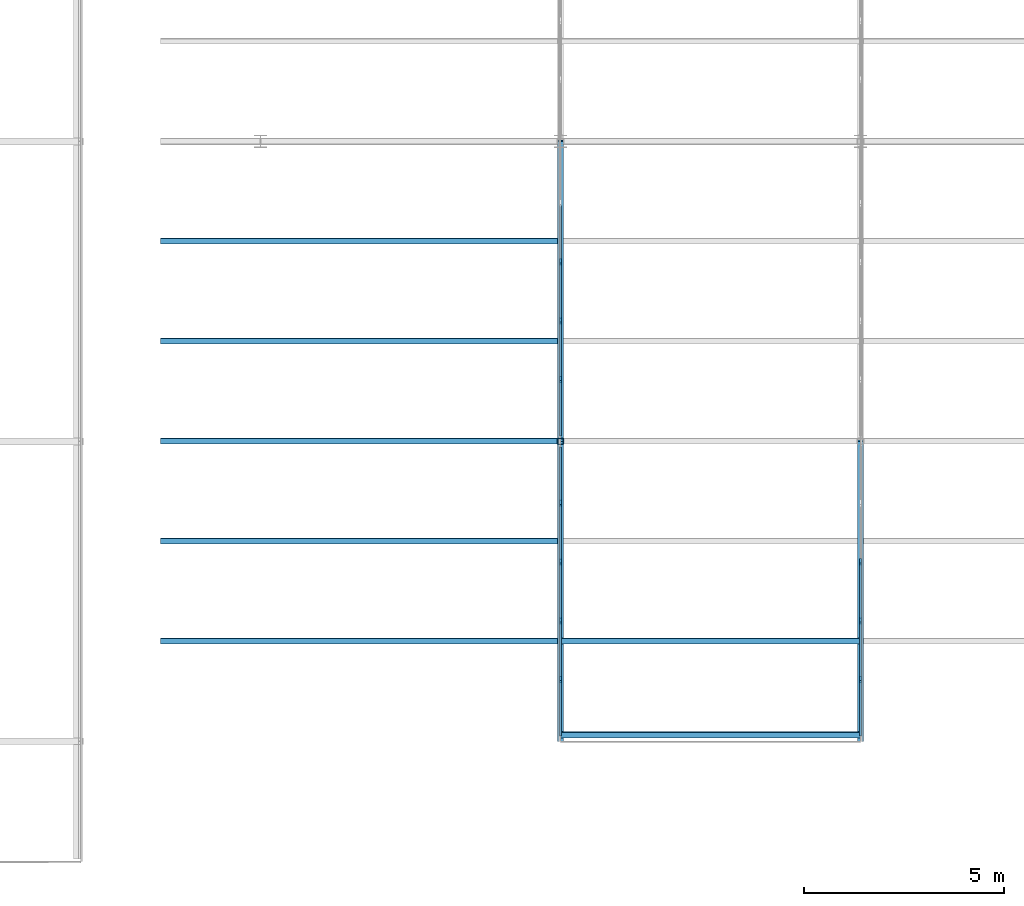
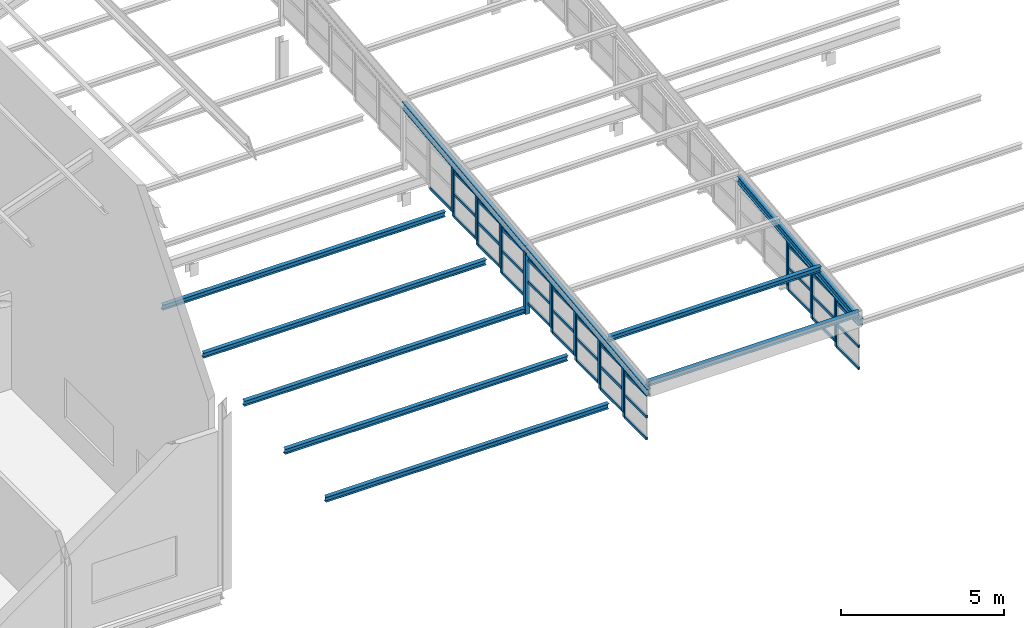
# One storey, part 51 of 483: 62 members, 3 beams, 13 elements without a shape of their own.
"""IFC4 building model written with IfcOpenShell, lengths in metres."""

from ifc_helpers import new_model, si_unit, direction, frame, origin, origin_2d, place, context, subcontext, project, spatial, rectangle, hollow_rectangle, i_section, extrude, material, material_profile, profile_set, type_object, element, aggregate, save


model = new_model("IFC4")

# Units and contexts
model_context = context("Model", 3, precision=1e-05, world=origin(), true_north=direction((0.0, 1.0)))
body_context = subcontext(model_context, "Body", "Model", "MODEL_VIEW")
ifc_project = project(units=[si_unit("LENGTHUNIT", "METRE"), si_unit("AREAUNIT", "SQUARE_METRE"), si_unit("VOLUMEUNIT", "CUBIC_METRE"), si_unit("PLANEANGLEUNIT", "RADIAN"), si_unit("MASSUNIT", "GRAM", prefix="KILO")], contexts=[model_context])

# Site, building, storey
site_placement = place(None, origin())
site = spatial("IfcSite", under=ifc_project, at=site_placement, CompositionType="ELEMENT")
building_placement = place(site_placement, origin())
building = spatial("IfcBuilding", under=site, at=building_placement, Name="Parallax Yard Mobility Hub", CompositionType="ELEMENT")
storey_placement = place(building_placement, frame((0.0, 0.0, 13.199951171875)))
storey = spatial("IfcBuildingStorey", under=building, at=storey_placement, Name="L04", CompositionType="ELEMENT", Elevation=13.199951171875)

# Beams
ifc_material_1 = material(Name="Steel ASTM A992", Category="steel")
ifc_material_profile_1 = material_profile(ifc_material_1, i_section(OverallWidth=0.14794921875, OverallDepth=0.26611328125, WebThickness=0.007568359375, FlangeThickness=0.012939453125, at=origin_2d()), Name="W250x45")
ifc_profile_set_1 = profile_set([ifc_material_profile_1], Name="Steel ASTM A992")
beam_type = type_object("IfcBeamType", Name="Monitor girder W250x45", PredefinedType="BEAM", material=ifc_profile_set_1)
for number, where, z_axis, x_axis, name in (
    (1, (157.5, 7.5146484375, 2.016357421875), (0.0, 0.993881367159, 0.110452831624), (-1.0, 0.0, 0.0), "Monitor girder at x 157.5 bay 1"),
    (2, (157.5, 15.0146484375, 2.849853515625), (0.0, 0.993884918264, 0.110420873243), (-1.0, 0.0, 0.0), "Monitor girder at x 157.5 bay 2"),
    (3, (165.0, 7.5146484375, 2.016357421875), (0.0, 0.993881367159, 0.110452831624), (-1.0, 0.0, 0.0), "Monitor girder at x 165 bay 1"),
):
    element("IfcBeam", number, at=place(storey_placement, frame(where, z_axis=z_axis, x_axis=x_axis)), inside=storey, type_object=beam_type, Name=name, PredefinedType="BEAM", context=body_context, shape_type="SweptSolid", body=[
        extrude(i_section(OverallWidth=0.14794921875, OverallDepth=0.26611328125, WebThickness=0.007568359375, FlangeThickness=0.012939453125, at=origin_2d()), origin(), (0.0, 0.0, 1.0), 7.546142578125),
    ])

# Member
ifc_material_2 = material(Name="Steel ASTM A500 Gr C", Category="steel")
ifc_material_profile_2 = material_profile(ifc_material_2, hollow_rectangle(XDim=0.15234375, YDim=0.15234375, WallThickness=0.009521484375, at=origin_2d()), Name="HSS152x152x9.5")
ifc_profile_set_2 = profile_set([ifc_material_profile_2], Name="Steel ASTM A500 Gr C")
member_type_1 = type_object("IfcMemberType", Name="Monitor post HSS152x152x9.5", PredefinedType="POST", material=ifc_profile_set_2)
member_1_placement = place(storey_placement, frame((157.5, 15.0, 0.45068359375), z_axis=(0.0, 0.0, 1.0), x_axis=(1.0, 0.0, 0.0)))
element("IfcMember", 4, at=member_1_placement, inside=storey, type_object=member_type_1, Name="Monitor post at x 157.5 y 15", PredefinedType="POST", context=body_context, shape_type="SweptSolid", body=[
    extrude(hollow_rectangle(XDim=0.15234375, YDim=0.15234375, WallThickness=0.009521484375, at=origin_2d()), origin(), (0.0, 0.0, 1.0), 2.295166015625),
])

# Curtain wall, member
ifc_material_3 = material(Name="Thermally broken aluminium curtain wall system", Category="aluminium")
curtain_wall_type = type_object("IfcCurtainWallType", Name="Clerestory glazing run 60 x 120 frame", PredefinedType="NOTDEFINED", material=ifc_material_3)
curtain_wall_1_placement = place(storey_placement, origin())
curtain_wall_1 = element("IfcCurtainWall", 5, at=curtain_wall_1_placement, inside=storey, type_object=curtain_wall_type, Name="Clerestory glazing run Bicycle and shared-mobility hall roof step 1 bay 1 level L02", PredefinedType="NOTDEFINED")
ifc_material_4 = material(Name="Extruded aluminium", Category="aluminium")
ifc_material_profile_3 = material_profile(ifc_material_4, rectangle(XDim=0.06005859375, YDim=0.1201171875, at=origin_2d()), Name="Mullion 60 x 120")
ifc_profile_set_3 = profile_set([ifc_material_profile_3], Name="Extruded aluminium")
member_type_2 = type_object("IfcMemberType", Name="Mullion 60 x 120", PredefinedType="MULLION", material=ifc_profile_set_3)
member_2_placement = place(storey_placement, frame((157.5, 9.015625, 0.188232421875), z_axis=(0.0, 0.0, 1.0), x_axis=(-1.0, 0.0, 0.0)))
member_2 = element("IfcMember", 6, at=member_2_placement, type_object=member_type_2, Name="CW4 mullion 2", PredefinedType="MULLION", context=body_context, shape_type="SweptSolid", body=[
    extrude(rectangle(XDim=0.06005859375, YDim=0.1201171875, at=origin_2d()), origin(), (0.0, 0.0, 1.0), 1.6943359375),
])

# Curtain wall, members
curtain_wall_2_placement = place(storey_placement, origin())
curtain_wall_2 = element("IfcCurtainWall", 7, at=curtain_wall_2_placement, inside=storey, type_object=curtain_wall_type, Name="Clerestory glazing run Bicycle and shared-mobility hall roof step 1 bay 1 level L02", PredefinedType="NOTDEFINED")
member_3_placement = place(storey_placement, frame((157.5, 9.07568359375, 0.3515625), z_axis=(0.0, 0.0, 1.0), x_axis=(-1.0, 0.0, 0.0)))
member_3 = element("IfcMember", 8, at=member_3_placement, type_object=member_type_2, Name="CW4 mullion 1", PredefinedType="MULLION", context=body_context, shape_type="SweptSolid", body=[
    extrude(rectangle(XDim=0.06005859375, YDim=0.1201171875, at=origin_2d()), origin(), (0.0, 0.0, 1.0), 1.69775390625),
])
member_4_placement = place(storey_placement, frame((157.5, 10.485107421875, 0.3515625), z_axis=(0.0, 0.0, 1.0), x_axis=(-1.0, 0.0, 0.0)))
member_4 = element("IfcMember", 9, at=member_4_placement, type_object=member_type_2, Name="CW4 mullion 2", PredefinedType="MULLION", context=body_context, shape_type="SweptSolid", body=[
    extrude(rectangle(XDim=0.06005859375, YDim=0.1201171875, at=origin_2d()), origin(), (0.0, 0.0, 1.0), 1.69775390625),
])

curtain_wall_3_placement = place(storey_placement, origin())
curtain_wall_3 = element("IfcCurtainWall", 10, at=curtain_wall_3_placement, inside=storey, type_object=curtain_wall_type, Name="Clerestory glazing run Bicycle and shared-mobility hall roof step 1 bay 1 level L02", PredefinedType="NOTDEFINED")
member_5_placement = place(storey_placement, frame((157.5, 10.545166015625, 0.514892578125), z_axis=(0.0, 0.0, 1.0), x_axis=(-1.0, 0.0, 0.0)))
member_5 = element("IfcMember", 11, at=member_5_placement, type_object=member_type_2, Name="CW4 mullion 1", PredefinedType="MULLION", context=body_context, shape_type="SweptSolid", body=[
    extrude(rectangle(XDim=0.06005859375, YDim=0.1201171875, at=origin_2d()), origin(), (0.0, 0.0, 1.0), 1.700927734375),
])
member_6_placement = place(storey_placement, frame((157.5, 11.954833984375, 0.514892578125), z_axis=(0.0, 0.0, 1.0), x_axis=(-1.0, 0.0, 0.0)))
member_6 = element("IfcMember", 12, at=member_6_placement, type_object=member_type_2, Name="CW4 mullion 2", PredefinedType="MULLION", context=body_context, shape_type="SweptSolid", body=[
    extrude(rectangle(XDim=0.06005859375, YDim=0.1201171875, at=origin_2d()), origin(), (0.0, 0.0, 1.0), 1.700927734375),
])

curtain_wall_4_placement = place(storey_placement, origin())
curtain_wall_4 = element("IfcCurtainWall", 13, at=curtain_wall_4_placement, inside=storey, type_object=curtain_wall_type, Name="Clerestory glazing run Bicycle and shared-mobility hall roof step 1 bay 1 level L02", PredefinedType="NOTDEFINED")
member_7_placement = place(storey_placement, frame((157.5, 12.014892578125, 0.67822265625), z_axis=(0.0, 0.0, 1.0), x_axis=(-1.0, 0.0, 0.0)))
member_7 = element("IfcMember", 14, at=member_7_placement, type_object=member_type_2, Name="CW4 mullion 1", PredefinedType="MULLION", context=body_context, shape_type="SweptSolid", body=[
    extrude(rectangle(XDim=0.06005859375, YDim=0.1201171875, at=origin_2d()), origin(), (0.0, 0.0, 1.0), 1.693115234375),
])
member_8_placement = place(storey_placement, frame((157.5, 13.42431640625, 0.67822265625), z_axis=(0.0, 0.0, 1.0), x_axis=(-1.0, 0.0, 0.0)))
member_8 = element("IfcMember", 15, at=member_8_placement, type_object=member_type_2, Name="CW4 mullion 2", PredefinedType="MULLION", context=body_context, shape_type="SweptSolid", body=[
    extrude(rectangle(XDim=0.06005859375, YDim=0.1201171875, at=origin_2d()), origin(), (0.0, 0.0, 1.0), 1.693115234375),
])

# Curtain wall, member
curtain_wall_5_placement = place(storey_placement, origin())
curtain_wall_5 = element("IfcCurtainWall", 16, at=curtain_wall_5_placement, inside=storey, type_object=curtain_wall_type, Name="Clerestory glazing run Bicycle and shared-mobility hall roof step 1 bay 1 level L02", PredefinedType="NOTDEFINED")
member_9_placement = place(storey_placement, frame((157.5, 13.484375, 0.841552734375), z_axis=(0.0, 0.0, 1.0), x_axis=(-1.0, 0.0, 0.0)))
member_9 = element("IfcMember", 17, at=member_9_placement, type_object=member_type_2, Name="CW4 mullion 1", PredefinedType="MULLION", context=body_context, shape_type="SweptSolid", body=[
    extrude(rectangle(XDim=0.06005859375, YDim=0.1201171875, at=origin_2d()), origin(), (0.0, 0.0, 1.0), 1.696533203125),
])

curtain_wall_6_placement = place(storey_placement, origin())
curtain_wall_6 = element("IfcCurtainWall", 18, at=curtain_wall_6_placement, inside=storey, type_object=curtain_wall_type, Name="Clerestory glazing run Bicycle and shared-mobility hall roof step 1 bay 2 level L02", PredefinedType="NOTDEFINED")
member_10_placement = place(storey_placement, frame((157.5, 16.515625, 1.021728515625), z_axis=(0.0, 0.0, 1.0), x_axis=(-1.0, 0.0, 0.0)))
member_10 = element("IfcMember", 19, at=member_10_placement, type_object=member_type_2, Name="CW4 mullion 2", PredefinedType="MULLION", context=body_context, shape_type="SweptSolid", body=[
    extrude(rectangle(XDim=0.06005859375, YDim=0.1201171875, at=origin_2d()), origin(), (0.0, 0.0, 1.0), 1.6943359375),
])

# Curtain wall, members
curtain_wall_7_placement = place(storey_placement, origin())
curtain_wall_7 = element("IfcCurtainWall", 20, at=curtain_wall_7_placement, inside=storey, type_object=curtain_wall_type, Name="Clerestory glazing run Bicycle and shared-mobility hall roof step 1 bay 2 level L02", PredefinedType="NOTDEFINED")
member_11_placement = place(storey_placement, frame((157.5, 16.57568359375, 1.18505859375), z_axis=(0.0, 0.0, 1.0), x_axis=(-1.0, 0.0, 0.0)))
member_11 = element("IfcMember", 21, at=member_11_placement, type_object=member_type_2, Name="CW4 mullion 1", PredefinedType="MULLION", context=body_context, shape_type="SweptSolid", body=[
    extrude(rectangle(XDim=0.06005859375, YDim=0.1201171875, at=origin_2d()), origin(), (0.0, 0.0, 1.0), 1.697509765625),
])
member_12_placement = place(storey_placement, frame((157.5, 17.985107421875, 1.18505859375), z_axis=(0.0, 0.0, 1.0), x_axis=(-1.0, 0.0, 0.0)))
member_12 = element("IfcMember", 22, at=member_12_placement, type_object=member_type_2, Name="CW4 mullion 2", PredefinedType="MULLION", context=body_context, shape_type="SweptSolid", body=[
    extrude(rectangle(XDim=0.06005859375, YDim=0.1201171875, at=origin_2d()), origin(), (0.0, 0.0, 1.0), 1.697509765625),
])

curtain_wall_8_placement = place(storey_placement, origin())
curtain_wall_8 = element("IfcCurtainWall", 23, at=curtain_wall_8_placement, inside=storey, type_object=curtain_wall_type, Name="Clerestory glazing run Bicycle and shared-mobility hall roof step 1 bay 2 level L02", PredefinedType="NOTDEFINED")
member_13_placement = place(storey_placement, frame((157.5, 18.045166015625, 1.34814453125), z_axis=(0.0, 0.0, 1.0), x_axis=(-1.0, 0.0, 0.0)))
member_13 = element("IfcMember", 24, at=member_13_placement, type_object=member_type_2, Name="CW4 mullion 1", PredefinedType="MULLION", context=body_context, shape_type="SweptSolid", body=[
    extrude(rectangle(XDim=0.06005859375, YDim=0.1201171875, at=origin_2d()), origin(), (0.0, 0.0, 1.0), 1.701171875),
])
member_14_placement = place(storey_placement, frame((157.5, 19.454833984375, 1.34814453125), z_axis=(0.0, 0.0, 1.0), x_axis=(-1.0, 0.0, 0.0)))
member_14 = element("IfcMember", 25, at=member_14_placement, type_object=member_type_2, Name="CW4 mullion 2", PredefinedType="MULLION", context=body_context, shape_type="SweptSolid", body=[
    extrude(rectangle(XDim=0.06005859375, YDim=0.1201171875, at=origin_2d()), origin(), (0.0, 0.0, 1.0), 1.701171875),
])

# Curtain wall, member
curtain_wall_9_placement = place(storey_placement, origin())
curtain_wall_9 = element("IfcCurtainWall", 26, at=curtain_wall_9_placement, inside=storey, type_object=curtain_wall_type, Name="Clerestory glazing run Bicycle and shared-mobility hall roof step 1 bay 2 level L02", PredefinedType="NOTDEFINED")
member_15_placement = place(storey_placement, frame((157.5, 19.514892578125, 1.511474609375), z_axis=(0.0, 0.0, 1.0), x_axis=(-1.0, 0.0, 0.0)))
member_15 = element("IfcMember", 27, at=member_15_placement, type_object=member_type_2, Name="CW4 mullion 1", PredefinedType="MULLION", context=body_context, shape_type="SweptSolid", body=[
    extrude(rectangle(XDim=0.06005859375, YDim=0.1201171875, at=origin_2d()), origin(), (0.0, 0.0, 1.0), 1.693359375),
])

curtain_wall_10_placement = place(storey_placement, origin())
curtain_wall_10 = element("IfcCurtainWall", 28, at=curtain_wall_10_placement, inside=storey, type_object=curtain_wall_type, Name="Clerestory glazing run Bicycle and shared-mobility hall roof step 2 bay 1 level L02", PredefinedType="NOTDEFINED")
member_16_placement = place(storey_placement, frame((165.0, 9.015625, 0.188232421875), z_axis=(0.0, 0.0, 1.0), x_axis=(-1.0, 0.0, 0.0)))
member_16 = element("IfcMember", 29, at=member_16_placement, type_object=member_type_2, Name="CW4 mullion 2", PredefinedType="MULLION", context=body_context, shape_type="SweptSolid", body=[
    extrude(rectangle(XDim=0.06005859375, YDim=0.1201171875, at=origin_2d()), origin(), (0.0, 0.0, 1.0), 1.6943359375),
])

# Curtain wall, members
curtain_wall_11_placement = place(storey_placement, origin())
curtain_wall_11 = element("IfcCurtainWall", 30, at=curtain_wall_11_placement, inside=storey, type_object=curtain_wall_type, Name="Clerestory glazing run Bicycle and shared-mobility hall roof step 2 bay 1 level L02", PredefinedType="NOTDEFINED")
member_17_placement = place(storey_placement, frame((165.0, 9.07568359375, 0.3515625), z_axis=(0.0, 0.0, 1.0), x_axis=(-1.0, 0.0, 0.0)))
member_17 = element("IfcMember", 31, at=member_17_placement, type_object=member_type_2, Name="CW4 mullion 1", PredefinedType="MULLION", context=body_context, shape_type="SweptSolid", body=[
    extrude(rectangle(XDim=0.06005859375, YDim=0.1201171875, at=origin_2d()), origin(), (0.0, 0.0, 1.0), 1.69775390625),
])
member_18_placement = place(storey_placement, frame((165.0, 10.485107421875, 0.3515625), z_axis=(0.0, 0.0, 1.0), x_axis=(-1.0, 0.0, 0.0)))
member_18 = element("IfcMember", 32, at=member_18_placement, type_object=member_type_2, Name="CW4 mullion 2", PredefinedType="MULLION", context=body_context, shape_type="SweptSolid", body=[
    extrude(rectangle(XDim=0.06005859375, YDim=0.1201171875, at=origin_2d()), origin(), (0.0, 0.0, 1.0), 1.69775390625),
])

curtain_wall_12_placement = place(storey_placement, origin())
curtain_wall_12 = element("IfcCurtainWall", 33, at=curtain_wall_12_placement, inside=storey, type_object=curtain_wall_type, Name="Clerestory glazing run Bicycle and shared-mobility hall roof step 2 bay 1 level L02", PredefinedType="NOTDEFINED")
member_19_placement = place(storey_placement, frame((165.0, 10.545166015625, 0.514892578125), z_axis=(0.0, 0.0, 1.0), x_axis=(-1.0, 0.0, 0.0)))
member_19 = element("IfcMember", 34, at=member_19_placement, type_object=member_type_2, Name="CW4 mullion 1", PredefinedType="MULLION", context=body_context, shape_type="SweptSolid", body=[
    extrude(rectangle(XDim=0.06005859375, YDim=0.1201171875, at=origin_2d()), origin(), (0.0, 0.0, 1.0), 1.700927734375),
])
member_20_placement = place(storey_placement, frame((165.0, 11.954833984375, 0.514892578125), z_axis=(0.0, 0.0, 1.0), x_axis=(-1.0, 0.0, 0.0)))
member_20 = element("IfcMember", 35, at=member_20_placement, type_object=member_type_2, Name="CW4 mullion 2", PredefinedType="MULLION", context=body_context, shape_type="SweptSolid", body=[
    extrude(rectangle(XDim=0.06005859375, YDim=0.1201171875, at=origin_2d()), origin(), (0.0, 0.0, 1.0), 1.700927734375),
])

# Curtain wall, member
curtain_wall_13_placement = place(storey_placement, origin())
curtain_wall_13 = element("IfcCurtainWall", 36, at=curtain_wall_13_placement, inside=storey, type_object=curtain_wall_type, Name="Clerestory glazing run Bicycle and shared-mobility hall roof step 2 bay 1 level L02", PredefinedType="NOTDEFINED")
member_21_placement = place(storey_placement, frame((165.0, 12.014892578125, 0.67822265625), z_axis=(0.0, 0.0, 1.0), x_axis=(-1.0, 0.0, 0.0)))
member_21 = element("IfcMember", 37, at=member_21_placement, type_object=member_type_2, Name="CW4 mullion 1", PredefinedType="MULLION", context=body_context, shape_type="SweptSolid", body=[
    extrude(rectangle(XDim=0.06005859375, YDim=0.1201171875, at=origin_2d()), origin(), (0.0, 0.0, 1.0), 1.693115234375),
])
aggregate(curtain_wall_13, [member_21])

# Members
ifc_material_profile_4 = material_profile(ifc_material_1, i_section(OverallWidth=0.133056640625, OverallDepth=0.20703125, WebThickness=0.005859375, FlangeThickness=0.00830078125, at=origin_2d()), Name="W200x27")
ifc_profile_set_4 = profile_set([ifc_material_profile_4], Name="Steel ASTM A992")
member_type_3 = type_object("IfcMemberType", Name="Roof purlin W200x27", PredefinedType="PURLIN", material=ifc_profile_set_4)
for number, where, z_axis, x_axis, name in (
    (38, (147.5, 10.011474609375, 0.030517578125), (1.0, 0.0, 0.0), (0.0, 0.993883718765, 0.110431669255), "Roof purlin west of the monitor at y 10"),
    (39, (147.5, 12.511474609375, 0.308349609375), (1.0, 0.0, 0.0), (0.0, 0.993883718765, 0.110431669255), "Roof purlin west of the monitor at y 12.5"),
    (40, (147.5, 15.011474609375, 0.5859375), (1.0, 0.0, 0.0), (0.0, 0.993883718765, 0.110431669255), "Roof purlin west of the monitor at y 15"),
    (41, (147.5, 17.511474609375, 0.86376953125), (1.0, 0.0, 0.0), (0.0, 0.993883718765, 0.110431669255), "Roof purlin west of the monitor at y 17.5"),
    (42, (147.5, 20.011474609375, 1.1416015625), (1.0, 0.0, 0.0), (0.0, 0.993883718765, 0.110431669255), "Roof purlin west of the monitor at y 20"),
):
    element("IfcMember", number, at=place(storey_placement, frame(where, z_axis=z_axis, x_axis=x_axis)), inside=storey, type_object=member_type_3, Name=name, PredefinedType="PURLIN", context=body_context, shape_type="SweptSolid", body=[
        extrude(i_section(OverallWidth=0.133056640625, OverallDepth=0.20703125, WebThickness=0.005859375, FlangeThickness=0.00830078125, at=origin_2d()), origin(), (0.0, 0.0, 1.0), 10.0),
    ])
for number, where, z_axis, x_axis, name in (
    (43, (157.5, 7.661376953125, 2.269287109375), (1.0, 0.0, 0.0), (0.0, 0.993883718765, 0.110431669255), "Monitor purlin at y 7.65"),
    (44, (157.5, 10.011474609375, 2.530517578125), (1.0, 0.0, 0.0), (0.0, 0.993883718765, 0.110431669255), "Monitor purlin at y 10"),
):
    element("IfcMember", number, at=place(storey_placement, frame(where, z_axis=z_axis, x_axis=x_axis)), inside=storey, type_object=member_type_3, Name=name, PredefinedType="PURLIN", context=body_context, shape_type="SweptSolid", body=[
        extrude(i_section(OverallWidth=0.133056640625, OverallDepth=0.20703125, WebThickness=0.005859375, FlangeThickness=0.00830078125, at=origin_2d()), origin(), (0.0, 0.0, 1.0), 7.5),
    ])

# Member
ifc_material_profile_5 = material_profile(ifc_material_4, rectangle(XDim=0.06005859375, YDim=0.10009765625, at=origin_2d()), Name="Transom 60 x 100")
ifc_profile_set_5 = profile_set([ifc_material_profile_5], Name="Extruded aluminium")
member_type_4 = type_object("IfcMemberType", Name="Transom 60 x 100", PredefinedType="USERDEFINED", material=ifc_profile_set_5)
member_22_placement = place(storey_placement, frame((157.5, 7.63623046875, 0.21826171875), z_axis=(0.0, 1.0, 0.0), x_axis=(-1.0, 0.0, 0.0)))
member_22 = element("IfcMember", 45, at=member_22_placement, type_object=member_type_4, Name="CW4 transom 1.1", ObjectType="TRANSOM", PredefinedType="USERDEFINED", context=body_context, shape_type="SweptSolid", body=[
    extrude(rectangle(XDim=0.06005859375, YDim=0.10009765625, at=origin_2d()), origin(), (0.0, 0.0, 1.0), 1.349365234375),
])

member_23_placement = place(storey_placement, frame((157.5, 7.63623046875, 1.035400390625), z_axis=(0.0, 1.0, 0.0), x_axis=(-1.0, 0.0, 0.0)))
member_23 = element("IfcMember", 46, at=member_23_placement, type_object=member_type_4, Name="CW4 transom 1.2", ObjectType="TRANSOM", PredefinedType="USERDEFINED", context=body_context, shape_type="SweptSolid", body=[
    extrude(rectangle(XDim=0.06005859375, YDim=0.10009765625, at=origin_2d()), origin(), (0.0, 0.0, 1.0), 1.349365234375),
])

member_24_placement = place(storey_placement, frame((157.5, 7.63623046875, 1.8525390625), z_axis=(0.0, 1.0, 0.0), x_axis=(-1.0, 0.0, 0.0)))
member_24 = element("IfcMember", 47, at=member_24_placement, type_object=member_type_4, Name="CW4 transom 1.3", ObjectType="TRANSOM", PredefinedType="USERDEFINED", context=body_context, shape_type="SweptSolid", body=[
    extrude(rectangle(XDim=0.06005859375, YDim=0.10009765625, at=origin_2d()), origin(), (0.0, 0.0, 1.0), 1.349365234375),
])

aggregate(curtain_wall_1, [member_2, member_22, member_23, member_24])

member_25_placement = place(storey_placement, frame((157.5, 9.105712890625, 0.381591796875), z_axis=(0.0, 1.0, 0.0), x_axis=(-1.0, 0.0, 0.0)))
member_25 = element("IfcMember", 48, at=member_25_placement, type_object=member_type_4, Name="CW4 transom 1.1", ObjectType="TRANSOM", PredefinedType="USERDEFINED", context=body_context, shape_type="SweptSolid", body=[
    extrude(rectangle(XDim=0.06005859375, YDim=0.10009765625, at=origin_2d()), origin(), (0.0, 0.0, 1.0), 1.349365234375),
])

member_26_placement = place(storey_placement, frame((157.5, 9.105712890625, 1.200439453125), z_axis=(0.0, 1.0, 0.0), x_axis=(-1.0, 0.0, 0.0)))
member_26 = element("IfcMember", 49, at=member_26_placement, type_object=member_type_4, Name="CW4 transom 1.2", ObjectType="TRANSOM", PredefinedType="USERDEFINED", context=body_context, shape_type="SweptSolid", body=[
    extrude(rectangle(XDim=0.06005859375, YDim=0.10009765625, at=origin_2d()), origin(), (0.0, 0.0, 1.0), 1.349365234375),
])

member_27_placement = place(storey_placement, frame((157.5, 9.105712890625, 2.019287109375), z_axis=(0.0, 1.0, 0.0), x_axis=(-1.0, 0.0, 0.0)))
member_27 = element("IfcMember", 50, at=member_27_placement, type_object=member_type_4, Name="CW4 transom 1.3", ObjectType="TRANSOM", PredefinedType="USERDEFINED", context=body_context, shape_type="SweptSolid", body=[
    extrude(rectangle(XDim=0.06005859375, YDim=0.10009765625, at=origin_2d()), origin(), (0.0, 0.0, 1.0), 1.349365234375),
])

aggregate(curtain_wall_2, [member_3, member_4, member_25, member_26, member_27])

member_28_placement = place(storey_placement, frame((157.5, 10.5751953125, 0.544921875), z_axis=(0.0, 1.0, 0.0), x_axis=(-1.0, 0.0, 0.0)))
member_28 = element("IfcMember", 51, at=member_28_placement, type_object=member_type_4, Name="CW4 transom 1.1", ObjectType="TRANSOM", PredefinedType="USERDEFINED", context=body_context, shape_type="SweptSolid", body=[
    extrude(rectangle(XDim=0.06005859375, YDim=0.10009765625, at=origin_2d()), origin(), (0.0, 0.0, 1.0), 1.349609375),
])

member_29_placement = place(storey_placement, frame((157.5, 10.5751953125, 1.365234375), z_axis=(0.0, 1.0, 0.0), x_axis=(-1.0, 0.0, 0.0)))
member_29 = element("IfcMember", 52, at=member_29_placement, type_object=member_type_4, Name="CW4 transom 1.2", ObjectType="TRANSOM", PredefinedType="USERDEFINED", context=body_context, shape_type="SweptSolid", body=[
    extrude(rectangle(XDim=0.06005859375, YDim=0.10009765625, at=origin_2d()), origin(), (0.0, 0.0, 1.0), 1.349609375),
])

member_30_placement = place(storey_placement, frame((157.5, 10.5751953125, 2.185791015625), z_axis=(0.0, 1.0, 0.0), x_axis=(-1.0, 0.0, 0.0)))
member_30 = element("IfcMember", 53, at=member_30_placement, type_object=member_type_4, Name="CW4 transom 1.3", ObjectType="TRANSOM", PredefinedType="USERDEFINED", context=body_context, shape_type="SweptSolid", body=[
    extrude(rectangle(XDim=0.06005859375, YDim=0.10009765625, at=origin_2d()), origin(), (0.0, 0.0, 1.0), 1.349609375),
])

aggregate(curtain_wall_3, [member_5, member_6, member_28, member_29, member_30])

member_31_placement = place(storey_placement, frame((157.5, 12.044921875, 0.708251953125), z_axis=(0.0, 1.0, 0.0), x_axis=(-1.0, 0.0, 0.0)))
member_31 = element("IfcMember", 54, at=member_31_placement, type_object=member_type_4, Name="CW4 transom 1.1", ObjectType="TRANSOM", PredefinedType="USERDEFINED", context=body_context, shape_type="SweptSolid", body=[
    extrude(rectangle(XDim=0.06005859375, YDim=0.10009765625, at=origin_2d()), origin(), (0.0, 0.0, 1.0), 1.349365234375),
])

member_32_placement = place(storey_placement, frame((157.5, 12.044921875, 1.52490234375), z_axis=(0.0, 1.0, 0.0), x_axis=(-1.0, 0.0, 0.0)))
member_32 = element("IfcMember", 55, at=member_32_placement, type_object=member_type_4, Name="CW4 transom 1.2", ObjectType="TRANSOM", PredefinedType="USERDEFINED", context=body_context, shape_type="SweptSolid", body=[
    extrude(rectangle(XDim=0.06005859375, YDim=0.10009765625, at=origin_2d()), origin(), (0.0, 0.0, 1.0), 1.349365234375),
])

member_33_placement = place(storey_placement, frame((157.5, 12.044921875, 2.341552734375), z_axis=(0.0, 1.0, 0.0), x_axis=(-1.0, 0.0, 0.0)))
member_33 = element("IfcMember", 56, at=member_33_placement, type_object=member_type_4, Name="CW4 transom 1.3", ObjectType="TRANSOM", PredefinedType="USERDEFINED", context=body_context, shape_type="SweptSolid", body=[
    extrude(rectangle(XDim=0.06005859375, YDim=0.10009765625, at=origin_2d()), origin(), (0.0, 0.0, 1.0), 1.349365234375),
])

aggregate(curtain_wall_4, [member_7, member_8, member_31, member_32, member_33])

member_34_placement = place(storey_placement, frame((157.5, 13.514404296875, 0.871337890625), z_axis=(0.0, 1.0, 0.0), x_axis=(-1.0, 0.0, 0.0)))
member_34 = element("IfcMember", 57, at=member_34_placement, type_object=member_type_4, Name="CW4 transom 1.1", ObjectType="TRANSOM", PredefinedType="USERDEFINED", context=body_context, shape_type="SweptSolid", body=[
    extrude(rectangle(XDim=0.06005859375, YDim=0.10009765625, at=origin_2d()), origin(), (0.0, 0.0, 1.0), 1.349365234375),
])

member_35_placement = place(storey_placement, frame((157.5, 13.514404296875, 1.689697265625), z_axis=(0.0, 1.0, 0.0), x_axis=(-1.0, 0.0, 0.0)))
member_35 = element("IfcMember", 58, at=member_35_placement, type_object=member_type_4, Name="CW4 transom 1.2", ObjectType="TRANSOM", PredefinedType="USERDEFINED", context=body_context, shape_type="SweptSolid", body=[
    extrude(rectangle(XDim=0.06005859375, YDim=0.10009765625, at=origin_2d()), origin(), (0.0, 0.0, 1.0), 1.349365234375),
])

member_36_placement = place(storey_placement, frame((157.5, 13.514404296875, 2.508056640625), z_axis=(0.0, 1.0, 0.0), x_axis=(-1.0, 0.0, 0.0)))
member_36 = element("IfcMember", 59, at=member_36_placement, type_object=member_type_4, Name="CW4 transom 1.3", ObjectType="TRANSOM", PredefinedType="USERDEFINED", context=body_context, shape_type="SweptSolid", body=[
    extrude(rectangle(XDim=0.06005859375, YDim=0.10009765625, at=origin_2d()), origin(), (0.0, 0.0, 1.0), 1.349365234375),
])

aggregate(curtain_wall_5, [member_9, member_34, member_35, member_36])

member_37_placement = place(storey_placement, frame((157.5, 15.13623046875, 1.0517578125), z_axis=(0.0, 1.0, 0.0), x_axis=(-1.0, 0.0, 0.0)))
member_37 = element("IfcMember", 60, at=member_37_placement, type_object=member_type_4, Name="CW4 transom 1.1", ObjectType="TRANSOM", PredefinedType="USERDEFINED", context=body_context, shape_type="SweptSolid", body=[
    extrude(rectangle(XDim=0.06005859375, YDim=0.10009765625, at=origin_2d()), origin(), (0.0, 0.0, 1.0), 1.349365234375),
])

member_38_placement = place(storey_placement, frame((157.5, 15.13623046875, 1.868896484375), z_axis=(0.0, 1.0, 0.0), x_axis=(-1.0, 0.0, 0.0)))
member_38 = element("IfcMember", 61, at=member_38_placement, type_object=member_type_4, Name="CW4 transom 1.2", ObjectType="TRANSOM", PredefinedType="USERDEFINED", context=body_context, shape_type="SweptSolid", body=[
    extrude(rectangle(XDim=0.06005859375, YDim=0.10009765625, at=origin_2d()), origin(), (0.0, 0.0, 1.0), 1.349365234375),
])

member_39_placement = place(storey_placement, frame((157.5, 15.13623046875, 2.68603515625), z_axis=(0.0, 1.0, 0.0), x_axis=(-1.0, 0.0, 0.0)))
member_39 = element("IfcMember", 62, at=member_39_placement, type_object=member_type_4, Name="CW4 transom 1.3", ObjectType="TRANSOM", PredefinedType="USERDEFINED", context=body_context, shape_type="SweptSolid", body=[
    extrude(rectangle(XDim=0.06005859375, YDim=0.10009765625, at=origin_2d()), origin(), (0.0, 0.0, 1.0), 1.349365234375),
])

aggregate(curtain_wall_6, [member_10, member_37, member_38, member_39])

member_40_placement = place(storey_placement, frame((157.5, 16.605712890625, 1.21484375), z_axis=(0.0, 1.0, 0.0), x_axis=(-1.0, 0.0, 0.0)))
member_40 = element("IfcMember", 63, at=member_40_placement, type_object=member_type_4, Name="CW4 transom 1.1", ObjectType="TRANSOM", PredefinedType="USERDEFINED", context=body_context, shape_type="SweptSolid", body=[
    extrude(rectangle(XDim=0.06005859375, YDim=0.10009765625, at=origin_2d()), origin(), (0.0, 0.0, 1.0), 1.349365234375),
])

member_41_placement = place(storey_placement, frame((157.5, 16.605712890625, 2.03369140625), z_axis=(0.0, 1.0, 0.0), x_axis=(-1.0, 0.0, 0.0)))
member_41 = element("IfcMember", 64, at=member_41_placement, type_object=member_type_4, Name="CW4 transom 1.2", ObjectType="TRANSOM", PredefinedType="USERDEFINED", context=body_context, shape_type="SweptSolid", body=[
    extrude(rectangle(XDim=0.06005859375, YDim=0.10009765625, at=origin_2d()), origin(), (0.0, 0.0, 1.0), 1.349365234375),
])

member_42_placement = place(storey_placement, frame((157.5, 16.605712890625, 2.8525390625), z_axis=(0.0, 1.0, 0.0), x_axis=(-1.0, 0.0, 0.0)))
member_42 = element("IfcMember", 65, at=member_42_placement, type_object=member_type_4, Name="CW4 transom 1.3", ObjectType="TRANSOM", PredefinedType="USERDEFINED", context=body_context, shape_type="SweptSolid", body=[
    extrude(rectangle(XDim=0.06005859375, YDim=0.10009765625, at=origin_2d()), origin(), (0.0, 0.0, 1.0), 1.349365234375),
])

aggregate(curtain_wall_7, [member_11, member_12, member_40, member_41, member_42])

member_43_placement = place(storey_placement, frame((157.5, 18.0751953125, 1.378173828125), z_axis=(0.0, 1.0, 0.0), x_axis=(-1.0, 0.0, 0.0)))
member_43 = element("IfcMember", 66, at=member_43_placement, type_object=member_type_4, Name="CW4 transom 1.1", ObjectType="TRANSOM", PredefinedType="USERDEFINED", context=body_context, shape_type="SweptSolid", body=[
    extrude(rectangle(XDim=0.06005859375, YDim=0.10009765625, at=origin_2d()), origin(), (0.0, 0.0, 1.0), 1.349609375),
])

member_44_placement = place(storey_placement, frame((157.5, 18.0751953125, 2.19873046875), z_axis=(0.0, 1.0, 0.0), x_axis=(-1.0, 0.0, 0.0)))
member_44 = element("IfcMember", 67, at=member_44_placement, type_object=member_type_4, Name="CW4 transom 1.2", ObjectType="TRANSOM", PredefinedType="USERDEFINED", context=body_context, shape_type="SweptSolid", body=[
    extrude(rectangle(XDim=0.06005859375, YDim=0.10009765625, at=origin_2d()), origin(), (0.0, 0.0, 1.0), 1.349609375),
])

member_45_placement = place(storey_placement, frame((157.5, 18.0751953125, 3.019287109375), z_axis=(0.0, 1.0, 0.0), x_axis=(-1.0, 0.0, 0.0)))
member_45 = element("IfcMember", 68, at=member_45_placement, type_object=member_type_4, Name="CW4 transom 1.3", ObjectType="TRANSOM", PredefinedType="USERDEFINED", context=body_context, shape_type="SweptSolid", body=[
    extrude(rectangle(XDim=0.06005859375, YDim=0.10009765625, at=origin_2d()), origin(), (0.0, 0.0, 1.0), 1.349609375),
])

aggregate(curtain_wall_8, [member_13, member_14, member_43, member_44, member_45])

member_46_placement = place(storey_placement, frame((157.5, 19.544921875, 1.54150390625), z_axis=(0.0, 1.0, 0.0), x_axis=(-1.0, 0.0, 0.0)))
member_46 = element("IfcMember", 69, at=member_46_placement, type_object=member_type_4, Name="CW4 transom 1.1", ObjectType="TRANSOM", PredefinedType="USERDEFINED", context=body_context, shape_type="SweptSolid", body=[
    extrude(rectangle(XDim=0.06005859375, YDim=0.10009765625, at=origin_2d()), origin(), (0.0, 0.0, 1.0), 1.349365234375),
])

aggregate(curtain_wall_9, [member_15, member_46])

member_47_placement = place(storey_placement, frame((165.0, 7.63623046875, 0.21826171875), z_axis=(0.0, 1.0, 0.0), x_axis=(-1.0, 0.0, 0.0)))
member_47 = element("IfcMember", 70, at=member_47_placement, type_object=member_type_4, Name="CW4 transom 1.1", ObjectType="TRANSOM", PredefinedType="USERDEFINED", context=body_context, shape_type="SweptSolid", body=[
    extrude(rectangle(XDim=0.06005859375, YDim=0.10009765625, at=origin_2d()), origin(), (0.0, 0.0, 1.0), 1.349365234375),
])

member_48_placement = place(storey_placement, frame((165.0, 7.63623046875, 1.035400390625), z_axis=(0.0, 1.0, 0.0), x_axis=(-1.0, 0.0, 0.0)))
member_48 = element("IfcMember", 71, at=member_48_placement, type_object=member_type_4, Name="CW4 transom 1.2", ObjectType="TRANSOM", PredefinedType="USERDEFINED", context=body_context, shape_type="SweptSolid", body=[
    extrude(rectangle(XDim=0.06005859375, YDim=0.10009765625, at=origin_2d()), origin(), (0.0, 0.0, 1.0), 1.349365234375),
])

member_49_placement = place(storey_placement, frame((165.0, 7.63623046875, 1.8525390625), z_axis=(0.0, 1.0, 0.0), x_axis=(-1.0, 0.0, 0.0)))
member_49 = element("IfcMember", 72, at=member_49_placement, type_object=member_type_4, Name="CW4 transom 1.3", ObjectType="TRANSOM", PredefinedType="USERDEFINED", context=body_context, shape_type="SweptSolid", body=[
    extrude(rectangle(XDim=0.06005859375, YDim=0.10009765625, at=origin_2d()), origin(), (0.0, 0.0, 1.0), 1.349365234375),
])

aggregate(curtain_wall_10, [member_16, member_47, member_48, member_49])

member_50_placement = place(storey_placement, frame((165.0, 9.105712890625, 0.381591796875), z_axis=(0.0, 1.0, 0.0), x_axis=(-1.0, 0.0, 0.0)))
member_50 = element("IfcMember", 73, at=member_50_placement, type_object=member_type_4, Name="CW4 transom 1.1", ObjectType="TRANSOM", PredefinedType="USERDEFINED", context=body_context, shape_type="SweptSolid", body=[
    extrude(rectangle(XDim=0.06005859375, YDim=0.10009765625, at=origin_2d()), origin(), (0.0, 0.0, 1.0), 1.349365234375),
])

member_51_placement = place(storey_placement, frame((165.0, 9.105712890625, 1.200439453125), z_axis=(0.0, 1.0, 0.0), x_axis=(-1.0, 0.0, 0.0)))
member_51 = element("IfcMember", 74, at=member_51_placement, type_object=member_type_4, Name="CW4 transom 1.2", ObjectType="TRANSOM", PredefinedType="USERDEFINED", context=body_context, shape_type="SweptSolid", body=[
    extrude(rectangle(XDim=0.06005859375, YDim=0.10009765625, at=origin_2d()), origin(), (0.0, 0.0, 1.0), 1.349365234375),
])

member_52_placement = place(storey_placement, frame((165.0, 9.105712890625, 2.019287109375), z_axis=(0.0, 1.0, 0.0), x_axis=(-1.0, 0.0, 0.0)))
member_52 = element("IfcMember", 75, at=member_52_placement, type_object=member_type_4, Name="CW4 transom 1.3", ObjectType="TRANSOM", PredefinedType="USERDEFINED", context=body_context, shape_type="SweptSolid", body=[
    extrude(rectangle(XDim=0.06005859375, YDim=0.10009765625, at=origin_2d()), origin(), (0.0, 0.0, 1.0), 1.349365234375),
])

aggregate(curtain_wall_11, [member_17, member_18, member_50, member_51, member_52])

member_53_placement = place(storey_placement, frame((165.0, 10.5751953125, 0.544921875), z_axis=(0.0, 1.0, 0.0), x_axis=(-1.0, 0.0, 0.0)))
member_53 = element("IfcMember", 76, at=member_53_placement, type_object=member_type_4, Name="CW4 transom 1.1", ObjectType="TRANSOM", PredefinedType="USERDEFINED", context=body_context, shape_type="SweptSolid", body=[
    extrude(rectangle(XDim=0.06005859375, YDim=0.10009765625, at=origin_2d()), origin(), (0.0, 0.0, 1.0), 1.349609375),
])

member_54_placement = place(storey_placement, frame((165.0, 10.5751953125, 1.365234375), z_axis=(0.0, 1.0, 0.0), x_axis=(-1.0, 0.0, 0.0)))
member_54 = element("IfcMember", 77, at=member_54_placement, type_object=member_type_4, Name="CW4 transom 1.2", ObjectType="TRANSOM", PredefinedType="USERDEFINED", context=body_context, shape_type="SweptSolid", body=[
    extrude(rectangle(XDim=0.06005859375, YDim=0.10009765625, at=origin_2d()), origin(), (0.0, 0.0, 1.0), 1.349609375),
])

member_55_placement = place(storey_placement, frame((165.0, 10.5751953125, 2.185791015625), z_axis=(0.0, 1.0, 0.0), x_axis=(-1.0, 0.0, 0.0)))
member_55 = element("IfcMember", 78, at=member_55_placement, type_object=member_type_4, Name="CW4 transom 1.3", ObjectType="TRANSOM", PredefinedType="USERDEFINED", context=body_context, shape_type="SweptSolid", body=[
    extrude(rectangle(XDim=0.06005859375, YDim=0.10009765625, at=origin_2d()), origin(), (0.0, 0.0, 1.0), 1.349609375),
])

aggregate(curtain_wall_12, [member_19, member_20, member_53, member_54, member_55])

save(model, "model.ifc")
